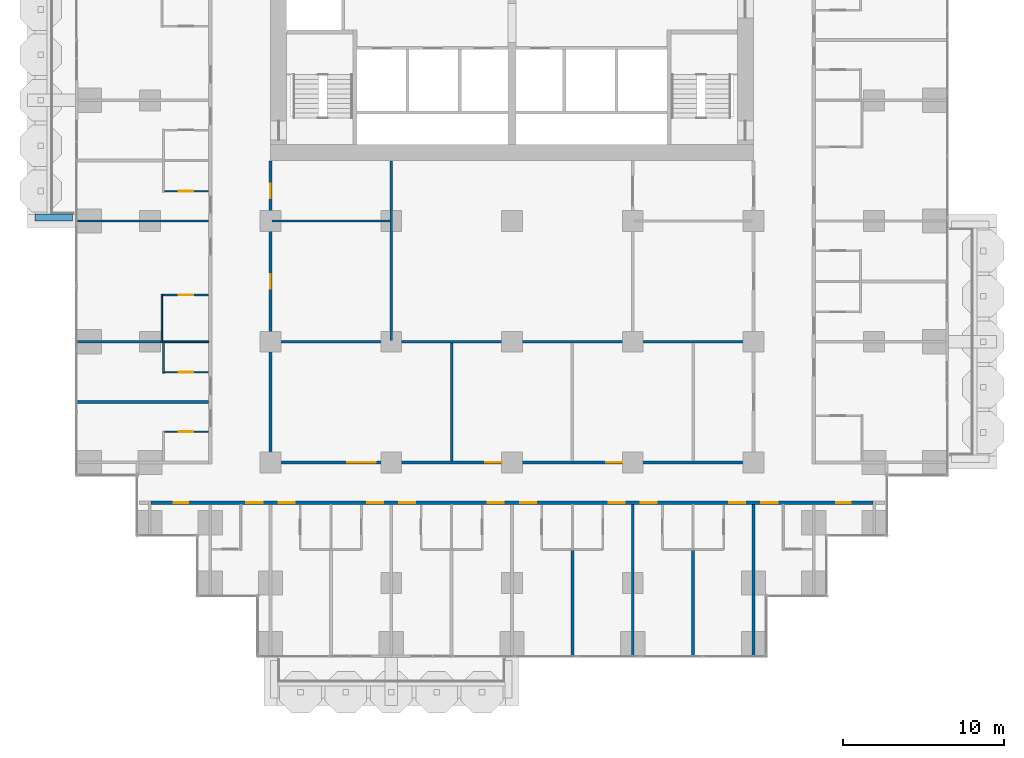
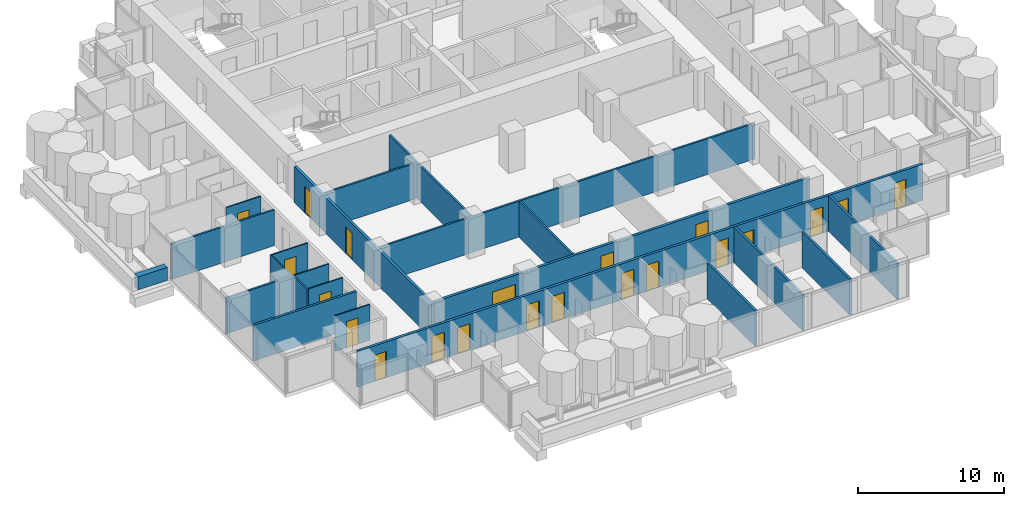
# One storey, part 11 of 19: 22 walls, 21 doors, 21 openings.
"""IFC4 building model written with IfcOpenShell, lengths in metres."""

from ifc_helpers import new_model, si_unit, direction, frame, frame_2d, origin, place, context, subcontext, project, spatial, rectangle, extrude, material, layer, layer_set, type_object, element, fill, save


model = new_model("IFC4")

# Units and contexts
model_context = context("Model", 3, precision=1e-05, world=origin(), true_north=direction((0.0, 1.0)))
body_context = subcontext(model_context, "Body", "Model", "MODEL_VIEW")
ifc_project = project(units=[si_unit("LENGTHUNIT", "METRE"), si_unit("AREAUNIT", "SQUARE_METRE"), si_unit("VOLUMEUNIT", "CUBIC_METRE"), si_unit("PLANEANGLEUNIT", "RADIAN"), si_unit("MASSUNIT", "GRAM", prefix="KILO")], contexts=[model_context])

# Site, building, storey
site_placement = place(None, origin())
site = spatial("IfcSite", under=ifc_project, at=site_placement, CompositionType="ELEMENT")
building_placement = place(site_placement, origin())
building = spatial("IfcBuilding", under=site, at=building_placement, Name="Pilkhan Gate Tower", CompositionType="ELEMENT")
storey_placement = place(building_placement, frame((0.0, 0.0, 95.60009765625)))
storey = spatial("IfcBuildingStorey", under=building, at=storey_placement, Name="L23", CompositionType="ELEMENT", Elevation=95.60009765625)

# Walls
ifc_material_1 = material(Name="Dense blockwork", Category="masonry")
ifc_layer_1 = layer(ifc_material_1, 0.175048828125)
ifc_layer_set_1 = layer_set([ifc_layer_1], Name="Acoustic party wall PW175")
wall_type_1 = type_object("IfcWallType", Name="Acoustic party wall PW175", PredefinedType="PARTITIONING", material=ifc_layer_set_1)
wall_1_placement = place(storey_placement, frame((47.985107421875, 56.25, 0.0), z_axis=(0.0, 0.0, 1.0), x_axis=(1.0, 0.0, 0.0)))
element("IfcWall", 1, at=wall_1_placement, inside=storey, type_object=wall_type_1, Name="Partition L23", PredefinedType="PARTITIONING", context=body_context, shape_type="SweptSolid", body=[
    extrude(rectangle(XDim=8.164794921875, YDim=0.175048828125, at=frame_2d((4.08251953125, 0.0))), origin(), (0.0, 0.0, 1.0), 3.0),
])
wall_2_placement = place(storey_placement, frame((78.75, 40.485107421875, 0.0), z_axis=(0.0, 0.0, 1.0), x_axis=(0.0, 1.0, 0.0)))
element("IfcWall", 2, at=wall_2_placement, inside=storey, type_object=wall_type_1, Name="Partition L23", PredefinedType="PARTITIONING", context=body_context, shape_type="SweptSolid", body=[
    extrude(rectangle(XDim=6.56494140625, YDim=0.175048828125, at=frame_2d((3.282470703125, 0.0))), origin(), (0.0, 0.0, 1.0), 3.0),
])
wall_3_placement = place(storey_placement, frame((82.5, 40.485107421875, 0.0), z_axis=(0.0, 0.0, 1.0), x_axis=(0.0, 1.0, 0.0)))
element("IfcWall", 3, at=wall_3_placement, inside=storey, type_object=wall_type_1, Name="Partition L23", PredefinedType="PARTITIONING", context=body_context, shape_type="SweptSolid", body=[
    extrude(rectangle(XDim=9.414794921875, YDim=0.175048828125, at=frame_2d((4.70751953125, 0.0))), origin(), (0.0, 0.0, 1.0), 3.0),
])
wall_4_placement = place(storey_placement, frame((86.25, 40.485107421875, 0.0), z_axis=(0.0, 0.0, 1.0), x_axis=(0.0, 1.0, 0.0)))
element("IfcWall", 4, at=wall_4_placement, inside=storey, type_object=wall_type_1, Name="Partition L23", PredefinedType="PARTITIONING", context=body_context, shape_type="SweptSolid", body=[
    extrude(rectangle(XDim=6.56494140625, YDim=0.175048828125, at=frame_2d((3.282470703125, 0.0))), origin(), (0.0, 0.0, 1.0), 3.0),
])
wall_5_placement = place(storey_placement, frame((90.0, 40.485107421875, 0.0), z_axis=(0.0, 0.0, 1.0), x_axis=(0.0, 1.0, 0.0)))
element("IfcWall", 5, at=wall_5_placement, inside=storey, type_object=wall_type_1, Name="Partition L23", PredefinedType="PARTITIONING", context=body_context, shape_type="SweptSolid", body=[
    extrude(rectangle(XDim=9.414794921875, YDim=0.175048828125, at=frame_2d((4.70751953125, 0.0))), origin(), (0.0, 0.0, 1.0), 3.0),
])
ifc_material_2 = material(Name="Board-marked Concrete C40/50", Category="concrete")
ifc_layer_2 = layer(ifc_material_2, 0.449951171875)
ifc_layer_set_2 = layer_set([ifc_layer_2], Name="Balcony planter lip BL450")
wall_type_2 = type_object("IfcWallType", Name="Balcony planter lip BL450", PredefinedType="USERDEFINED", material=ifc_layer_set_2)
wall_6_placement = place(storey_placement, frame((47.699951171875, 67.72509765625, 0.0), z_axis=(0.0, 0.0, 1.0), x_axis=(-1.0, 0.0, 0.0)))
element("IfcWall", 6, at=wall_6_placement, inside=storey, type_object=wall_type_2, Name="Balcony planter L23 W", ObjectType="BALCONY PLANTER", PredefinedType="USERDEFINED", context=body_context, shape_type="SweptSolid", body=[
    extrude(rectangle(XDim=2.349853515625, YDim=0.449951171875, at=frame_2d((1.1748046875, 0.0))), origin(), (0.0, 0.0, 1.0), 1.099853515625),
])

# Wall, openings, doors
ifc_layer_3 = layer(ifc_material_1, 0.199951171875)
ifc_layer_set_3 = layer_set([ifc_layer_3], Name="Corridor wall FW200")
wall_type_3 = type_object("IfcWallType", Name="Corridor wall FW200", PredefinedType="PARTITIONING", material=ifc_layer_set_3)
wall_7_placement = place(storey_placement, frame((52.574951171875, 50.0, 0.0), z_axis=(0.0, 0.0, 1.0), x_axis=(1.0, 0.0, 0.0)))
wall_7 = element("IfcWall", 7, at=wall_7_placement, inside=storey, type_object=wall_type_3, Name="Partition L23", PredefinedType="PARTITIONING", context=body_context, shape_type="SweptSolid", body=[
    extrude(rectangle(XDim=44.85009765625, YDim=0.199951171875, at=frame_2d((22.425048828125, 0.0))), origin(), (0.0, 0.0, 1.0), 3.0),
])
opening_1_placement = place(wall_7_placement, frame((5.925048828125, 0.0, 0.0)))
opening_1 = element("IfcOpeningElement", 8, at=opening_1_placement, cuts=wall_7, Name="Opening L23-06", PredefinedType="OPENING", context=body_context, shape_type="SweptSolid", body=[
    extrude(rectangle(XDim=1.0, YDim=2.199951171875, at=frame_2d((0.5, 1.10009765625))), frame((0.0, 0.10986328125, 0.0), z_axis=(0.0, -1.0, 0.0), x_axis=(1.0, 0.0, 0.0)), (0.0, 0.0, 1.0), 0.219970703125),
])
opening_2_placement = place(wall_7_placement, frame((7.925048828125, 0.0, 0.0)))
opening_2 = element("IfcOpeningElement", 9, at=opening_2_placement, cuts=wall_7, Name="Opening L23-08", PredefinedType="OPENING", context=body_context, shape_type="SweptSolid", body=[
    extrude(rectangle(XDim=1.0, YDim=2.199951171875, at=frame_2d((0.5, 1.10009765625))), frame((0.0, 0.10986328125, 0.0), z_axis=(0.0, -1.0, 0.0), x_axis=(1.0, 0.0, 0.0)), (0.0, 0.0, 1.0), 0.219970703125),
])
opening_3_placement = place(wall_7_placement, frame((13.425048828125, 0.0, 0.0)))
opening_3 = element("IfcOpeningElement", 10, at=opening_3_placement, cuts=wall_7, Name="Opening L23-10", PredefinedType="OPENING", context=body_context, shape_type="SweptSolid", body=[
    extrude(rectangle(XDim=1.0, YDim=2.199951171875, at=frame_2d((0.5, 1.10009765625))), frame((0.0, 0.10986328125, 0.0), z_axis=(0.0, -1.0, 0.0), x_axis=(1.0, 0.0, 0.0)), (0.0, 0.0, 1.0), 0.219970703125),
])
opening_4_placement = place(wall_7_placement, frame((15.425048828125, 0.0, 0.0)))
opening_4 = element("IfcOpeningElement", 11, at=opening_4_placement, cuts=wall_7, Name="Opening L23-12", PredefinedType="OPENING", context=body_context, shape_type="SweptSolid", body=[
    extrude(rectangle(XDim=1.0, YDim=2.199951171875, at=frame_2d((0.5, 1.10009765625))), frame((0.0, 0.10986328125, 0.0), z_axis=(0.0, -1.0, 0.0), x_axis=(1.0, 0.0, 0.0)), (0.0, 0.0, 1.0), 0.219970703125),
])
opening_5_placement = place(wall_7_placement, frame((20.925048828125, 0.0, 0.0)))
opening_5 = element("IfcOpeningElement", 12, at=opening_5_placement, cuts=wall_7, Name="Opening L23-14", PredefinedType="OPENING", context=body_context, shape_type="SweptSolid", body=[
    extrude(rectangle(XDim=1.0, YDim=2.199951171875, at=frame_2d((0.5, 1.10009765625))), frame((0.0, 0.10986328125, 0.0), z_axis=(0.0, -1.0, 0.0), x_axis=(1.0, 0.0, 0.0)), (0.0, 0.0, 1.0), 0.219970703125),
])
opening_6_placement = place(wall_7_placement, frame((22.925048828125, 0.0, 0.0)))
opening_6 = element("IfcOpeningElement", 13, at=opening_6_placement, cuts=wall_7, Name="Opening L23-16", PredefinedType="OPENING", context=body_context, shape_type="SweptSolid", body=[
    extrude(rectangle(XDim=1.0, YDim=2.199951171875, at=frame_2d((0.5, 1.10009765625))), frame((0.0, 0.10986328125, 0.0), z_axis=(0.0, -1.0, 0.0), x_axis=(1.0, 0.0, 0.0)), (0.0, 0.0, 1.0), 0.219970703125),
])
opening_7_placement = place(wall_7_placement, frame((28.425048828125, 0.0, 0.0)))
opening_7 = element("IfcOpeningElement", 14, at=opening_7_placement, cuts=wall_7, Name="Opening L23-18", PredefinedType="OPENING", context=body_context, shape_type="SweptSolid", body=[
    extrude(rectangle(XDim=1.0, YDim=2.199951171875, at=frame_2d((0.5, 1.10009765625))), frame((0.0, 0.10986328125, 0.0), z_axis=(0.0, -1.0, 0.0), x_axis=(1.0, 0.0, 0.0)), (0.0, 0.0, 1.0), 0.219970703125),
])
opening_8_placement = place(wall_7_placement, frame((30.425048828125, 0.0, 0.0)))
opening_8 = element("IfcOpeningElement", 15, at=opening_8_placement, cuts=wall_7, Name="Opening L23-20", PredefinedType="OPENING", context=body_context, shape_type="SweptSolid", body=[
    extrude(rectangle(XDim=1.0, YDim=2.199951171875, at=frame_2d((0.5, 1.10009765625))), frame((0.0, 0.10986328125, 0.0), z_axis=(0.0, -1.0, 0.0), x_axis=(1.0, 0.0, 0.0)), (0.0, 0.0, 1.0), 0.219970703125),
])
opening_9_placement = place(wall_7_placement, frame((35.925048828125, 0.0, 0.0)))
opening_9 = element("IfcOpeningElement", 16, at=opening_9_placement, cuts=wall_7, Name="Opening L23-22", PredefinedType="OPENING", context=body_context, shape_type="SweptSolid", body=[
    extrude(rectangle(XDim=1.0, YDim=2.199951171875, at=frame_2d((0.5, 1.10009765625))), frame((0.0, 0.10986328125, 0.0), z_axis=(0.0, -1.0, 0.0), x_axis=(1.0, 0.0, 0.0)), (0.0, 0.0, 1.0), 0.219970703125),
])
opening_10_placement = place(wall_7_placement, frame((37.925048828125, 0.0, 0.0)))
opening_10 = element("IfcOpeningElement", 17, at=opening_10_placement, cuts=wall_7, Name="Opening L23-24", PredefinedType="OPENING", context=body_context, shape_type="SweptSolid", body=[
    extrude(rectangle(XDim=1.0, YDim=2.199951171875, at=frame_2d((0.5, 1.10009765625))), frame((0.0, 0.10986328125, 0.0), z_axis=(0.0, -1.0, 0.0), x_axis=(1.0, 0.0, 0.0)), (0.0, 0.0, 1.0), 0.219970703125),
])
opening_11_placement = place(wall_7_placement, frame((1.39990234375, 0.0, 0.0)))
opening_11 = element("IfcOpeningElement", 18, at=opening_11_placement, cuts=wall_7, Name="Opening L23-56", PredefinedType="OPENING", context=body_context, shape_type="SweptSolid", body=[
    extrude(rectangle(XDim=0.89990234375, YDim=2.199951171875, at=frame_2d((0.449951171875, 1.10009765625))), frame((0.0, 0.10986328125, 0.0), z_axis=(0.0, -1.0, 0.0), x_axis=(1.0, 0.0, 0.0)), (0.0, 0.0, 1.0), 0.219970703125),
])
opening_12_placement = place(wall_7_placement, frame((42.574951171875, 0.0, 0.0)))
opening_12 = element("IfcOpeningElement", 19, at=opening_12_placement, cuts=wall_7, Name="Opening L23-57", PredefinedType="OPENING", context=body_context, shape_type="SweptSolid", body=[
    extrude(rectangle(XDim=0.89990234375, YDim=2.199951171875, at=frame_2d((0.449951171875, 1.10009765625))), frame((0.0, 0.10986328125, 0.0), z_axis=(0.0, -1.0, 0.0), x_axis=(1.0, 0.0, 0.0)), (0.0, 0.0, 1.0), 0.219970703125),
])
ifc_material_3 = material(Name="Timber flush door, 30 minute fire resisting", Category="wood")
door_type_1 = type_object("IfcDoorType", Name="Guest room door D01 1000x2200", OperationType="SINGLE_SWING_LEFT", PredefinedType="DOOR", material=ifc_material_3)
door_1_placement = place(opening_1_placement, origin())
door_1 = element("IfcDoor", 20, at=door_1_placement, inside=storey, type_object=door_type_1, Name="Guest room door", OperationType="SINGLE_SWING_RIGHT", OverallHeight=2.199951171875, OverallWidth=1.0, PredefinedType="DOOR", context=body_context, shape_type="SweptSolid", body=[
    extrude(rectangle(XDim=1.0, YDim=2.199951171875, at=frame_2d((0.5, 1.10009765625))), frame((0.0, 0.02490234375, 0.0), z_axis=(0.0, -1.0, 0.0), x_axis=(1.0, 0.0, 0.0)), (0.0, 0.0, 1.0), 0.050048828125),
])
fill(opening_1, door_1)
door_2_placement = place(opening_2_placement, origin())
door_2 = element("IfcDoor", 21, at=door_2_placement, inside=storey, type_object=door_type_1, Name="Guest room door", OperationType="SINGLE_SWING_LEFT", OverallHeight=2.199951171875, OverallWidth=1.0, PredefinedType="DOOR", context=body_context, shape_type="SweptSolid", body=[
    extrude(rectangle(XDim=1.0, YDim=2.199951171875, at=frame_2d((0.5, 1.10009765625))), frame((0.0, 0.02490234375, 0.0), z_axis=(0.0, -1.0, 0.0), x_axis=(1.0, 0.0, 0.0)), (0.0, 0.0, 1.0), 0.050048828125),
])
fill(opening_2, door_2)
door_3_placement = place(opening_3_placement, origin())
door_3 = element("IfcDoor", 22, at=door_3_placement, inside=storey, type_object=door_type_1, Name="Guest room door", OperationType="SINGLE_SWING_LEFT", OverallHeight=2.199951171875, OverallWidth=1.0, PredefinedType="DOOR", context=body_context, shape_type="SweptSolid", body=[
    extrude(rectangle(XDim=1.0, YDim=2.199951171875, at=frame_2d((0.5, 1.10009765625))), frame((0.0, 0.02490234375, 0.0), z_axis=(0.0, -1.0, 0.0), x_axis=(1.0, 0.0, 0.0)), (0.0, 0.0, 1.0), 0.050048828125),
])
fill(opening_3, door_3)
door_4_placement = place(opening_4_placement, origin())
door_4 = element("IfcDoor", 23, at=door_4_placement, inside=storey, type_object=door_type_1, Name="Guest room door", OperationType="SINGLE_SWING_LEFT", OverallHeight=2.199951171875, OverallWidth=1.0, PredefinedType="DOOR", context=body_context, shape_type="SweptSolid", body=[
    extrude(rectangle(XDim=1.0, YDim=2.199951171875, at=frame_2d((0.5, 1.10009765625))), frame((0.0, 0.02490234375, 0.0), z_axis=(0.0, -1.0, 0.0), x_axis=(1.0, 0.0, 0.0)), (0.0, 0.0, 1.0), 0.050048828125),
])
fill(opening_4, door_4)
door_5_placement = place(opening_5_placement, origin())
door_5 = element("IfcDoor", 24, at=door_5_placement, inside=storey, type_object=door_type_1, Name="Guest room door", OperationType="SINGLE_SWING_LEFT", OverallHeight=2.199951171875, OverallWidth=1.0, PredefinedType="DOOR", context=body_context, shape_type="SweptSolid", body=[
    extrude(rectangle(XDim=1.0, YDim=2.199951171875, at=frame_2d((0.5, 1.10009765625))), frame((0.0, 0.02490234375, 0.0), z_axis=(0.0, -1.0, 0.0), x_axis=(1.0, 0.0, 0.0)), (0.0, 0.0, 1.0), 0.050048828125),
])
fill(opening_5, door_5)
door_6_placement = place(opening_6_placement, origin())
door_6 = element("IfcDoor", 25, at=door_6_placement, inside=storey, type_object=door_type_1, Name="Guest room door", OperationType="SINGLE_SWING_RIGHT", OverallHeight=2.199951171875, OverallWidth=1.0, PredefinedType="DOOR", context=body_context, shape_type="SweptSolid", body=[
    extrude(rectangle(XDim=1.0, YDim=2.199951171875, at=frame_2d((0.5, 1.10009765625))), frame((0.0, 0.02490234375, 0.0), z_axis=(0.0, -1.0, 0.0), x_axis=(1.0, 0.0, 0.0)), (0.0, 0.0, 1.0), 0.050048828125),
])
fill(opening_6, door_6)
door_7_placement = place(opening_7_placement, origin())
door_7 = element("IfcDoor", 26, at=door_7_placement, inside=storey, type_object=door_type_1, Name="Guest room door", OperationType="SINGLE_SWING_LEFT", OverallHeight=2.199951171875, OverallWidth=1.0, PredefinedType="DOOR", context=body_context, shape_type="SweptSolid", body=[
    extrude(rectangle(XDim=1.0, YDim=2.199951171875, at=frame_2d((0.5, 1.10009765625))), frame((0.0, 0.02490234375, 0.0), z_axis=(0.0, -1.0, 0.0), x_axis=(1.0, 0.0, 0.0)), (0.0, 0.0, 1.0), 0.050048828125),
])
fill(opening_7, door_7)
door_8_placement = place(opening_8_placement, origin())
door_8 = element("IfcDoor", 27, at=door_8_placement, inside=storey, type_object=door_type_1, Name="Guest room door", OperationType="SINGLE_SWING_LEFT", OverallHeight=2.199951171875, OverallWidth=1.0, PredefinedType="DOOR", context=body_context, shape_type="SweptSolid", body=[
    extrude(rectangle(XDim=1.0, YDim=2.199951171875, at=frame_2d((0.5, 1.10009765625))), frame((0.0, 0.02490234375, 0.0), z_axis=(0.0, -1.0, 0.0), x_axis=(1.0, 0.0, 0.0)), (0.0, 0.0, 1.0), 0.050048828125),
])
fill(opening_8, door_8)
door_9_placement = place(opening_9_placement, origin())
door_9 = element("IfcDoor", 28, at=door_9_placement, inside=storey, type_object=door_type_1, Name="Guest room door", OperationType="SINGLE_SWING_RIGHT", OverallHeight=2.199951171875, OverallWidth=1.0, PredefinedType="DOOR", context=body_context, shape_type="SweptSolid", body=[
    extrude(rectangle(XDim=1.0, YDim=2.199951171875, at=frame_2d((0.5, 1.10009765625))), frame((0.0, 0.02490234375, 0.0), z_axis=(0.0, -1.0, 0.0), x_axis=(1.0, 0.0, 0.0)), (0.0, 0.0, 1.0), 0.050048828125),
])
fill(opening_9, door_9)
door_10_placement = place(opening_10_placement, origin())
door_10 = element("IfcDoor", 29, at=door_10_placement, inside=storey, type_object=door_type_1, Name="Guest room door", OperationType="SINGLE_SWING_LEFT", OverallHeight=2.199951171875, OverallWidth=1.0, PredefinedType="DOOR", context=body_context, shape_type="SweptSolid", body=[
    extrude(rectangle(XDim=1.0, YDim=2.199951171875, at=frame_2d((0.5, 1.10009765625))), frame((0.0, 0.02490234375, 0.0), z_axis=(0.0, -1.0, 0.0), x_axis=(1.0, 0.0, 0.0)), (0.0, 0.0, 1.0), 0.050048828125),
])
fill(opening_10, door_10)
ifc_material_4 = material(Name="Timber flush door, 60 minute fire resisting, self-closing", Category="wood")
door_type_2 = type_object("IfcDoorType", Name="Store door D05 900x2200", OperationType="SINGLE_SWING_LEFT", PredefinedType="DOOR", material=ifc_material_4)
door_11_placement = place(opening_11_placement, origin())
door_11 = element("IfcDoor", 30, at=door_11_placement, inside=storey, type_object=door_type_2, Name="Store door", OperationType="SINGLE_SWING_LEFT", OverallHeight=2.199951171875, OverallWidth=0.89990234375, PredefinedType="DOOR", context=body_context, shape_type="SweptSolid", body=[
    extrude(rectangle(XDim=0.89990234375, YDim=2.199951171875, at=frame_2d((0.449951171875, 1.10009765625))), frame((0.0, 0.02490234375, 0.0), z_axis=(0.0, -1.0, 0.0), x_axis=(1.0, 0.0, 0.0)), (0.0, 0.0, 1.0), 0.050048828125),
])
fill(opening_11, door_11)
door_12_placement = place(opening_12_placement, origin())
door_12 = element("IfcDoor", 31, at=door_12_placement, inside=storey, type_object=door_type_2, Name="Store door", OperationType="SINGLE_SWING_LEFT", OverallHeight=2.199951171875, OverallWidth=0.89990234375, PredefinedType="DOOR", context=body_context, shape_type="SweptSolid", body=[
    extrude(rectangle(XDim=0.89990234375, YDim=2.199951171875, at=frame_2d((0.449951171875, 1.10009765625))), frame((0.0, 0.02490234375, 0.0), z_axis=(0.0, -1.0, 0.0), x_axis=(1.0, 0.0, 0.0)), (0.0, 0.0, 1.0), 0.050048828125),
])
fill(opening_12, door_12)

wall_8_placement = place(storey_placement, frame((60.10009765625, 52.5, 0.0), z_axis=(0.0, 0.0, 1.0), x_axis=(1.0, 0.0, 0.0)))
wall_8 = element("IfcWall", 32, at=wall_8_placement, inside=storey, type_object=wall_type_3, Name="Partition L23", PredefinedType="PARTITIONING", context=body_context, shape_type="SweptSolid", body=[
    extrude(rectangle(XDim=29.7998046875, YDim=0.199951171875, at=frame_2d((14.89990234375, 0.0))), origin(), (0.0, 0.0, 1.0), 3.0),
])
opening_13_placement = place(wall_8_placement, frame((4.64990234375, 0.0, 0.0)))
opening_13 = element("IfcOpeningElement", 33, at=opening_13_placement, cuts=wall_8, Name="Opening L23-62", PredefinedType="OPENING", context=body_context, shape_type="SweptSolid", body=[
    extrude(rectangle(XDim=1.800048828125, YDim=2.199951171875, at=frame_2d((0.89990234375, 1.10009765625))), frame((0.0, 0.10986328125, 0.0), z_axis=(0.0, -1.0, 0.0), x_axis=(1.0, 0.0, 0.0)), (0.0, 0.0, 1.0), 0.219970703125),
])
opening_14_placement = place(wall_8_placement, frame((13.25, 0.0, 0.0)))
opening_14 = element("IfcOpeningElement", 34, at=opening_14_placement, cuts=wall_8, Name="Opening L23-63", PredefinedType="OPENING", context=body_context, shape_type="SweptSolid", body=[
    extrude(rectangle(XDim=1.0, YDim=2.199951171875, at=frame_2d((0.5, 1.10009765625))), frame((0.0, 0.10986328125, 0.0), z_axis=(0.0, -1.0, 0.0), x_axis=(1.0, 0.0, 0.0)), (0.0, 0.0, 1.0), 0.219970703125),
])
opening_15_placement = place(wall_8_placement, frame((20.75, 0.0, 0.0)))
opening_15 = element("IfcOpeningElement", 35, at=opening_15_placement, cuts=wall_8, Name="Opening L23-64", PredefinedType="OPENING", context=body_context, shape_type="SweptSolid", body=[
    extrude(rectangle(XDim=1.0, YDim=2.199951171875, at=frame_2d((0.5, 1.10009765625))), frame((0.0, 0.10986328125, 0.0), z_axis=(0.0, -1.0, 0.0), x_axis=(1.0, 0.0, 0.0)), (0.0, 0.0, 1.0), 0.219970703125),
])
ifc_material_5 = material(Name="Timber glazed double door, 30 minute fire resisting", Category="wood")
door_type_3 = type_object("IfcDoorType", Name="Double door D04 1800x2200", OperationType="DOUBLE_DOOR_SINGLE_SWING", PredefinedType="DOOR", material=ifc_material_5)
door_13_placement = place(opening_13_placement, origin())
door_13 = element("IfcDoor", 36, at=door_13_placement, inside=storey, type_object=door_type_3, Name="Double door", OperationType="DOUBLE_DOOR_SINGLE_SWING", OverallHeight=2.199951171875, OverallWidth=1.800048828125, PredefinedType="DOOR", context=body_context, shape_type="SweptSolid", body=[
    extrude(rectangle(XDim=1.800048828125, YDim=2.199951171875, at=frame_2d((0.89990234375, 1.10009765625))), frame((0.0, 0.02490234375, 0.0), z_axis=(0.0, -1.0, 0.0), x_axis=(1.0, 0.0, 0.0)), (0.0, 0.0, 1.0), 0.050048828125),
])
fill(opening_13, door_13)
door_type_4 = type_object("IfcDoorType", Name="Room door D03 1000x2200", OperationType="SINGLE_SWING_LEFT", PredefinedType="DOOR", material=ifc_material_3)
door_14_placement = place(opening_14_placement, origin())
door_14 = element("IfcDoor", 37, at=door_14_placement, inside=storey, type_object=door_type_4, Name="Room door", OperationType="SINGLE_SWING_RIGHT", OverallHeight=2.199951171875, OverallWidth=1.0, PredefinedType="DOOR", context=body_context, shape_type="SweptSolid", body=[
    extrude(rectangle(XDim=1.0, YDim=2.199951171875, at=frame_2d((0.5, 1.10009765625))), frame((0.0, 0.02490234375, 0.0), z_axis=(0.0, -1.0, 0.0), x_axis=(1.0, 0.0, 0.0)), (0.0, 0.0, 1.0), 0.050048828125),
])
fill(opening_14, door_14)
door_15_placement = place(opening_15_placement, origin())
door_15 = element("IfcDoor", 38, at=door_15_placement, inside=storey, type_object=door_type_4, Name="Room door", OperationType="SINGLE_SWING_RIGHT", OverallHeight=2.199951171875, OverallWidth=1.0, PredefinedType="DOOR", context=body_context, shape_type="SweptSolid", body=[
    extrude(rectangle(XDim=1.0, YDim=2.199951171875, at=frame_2d((0.5, 1.10009765625))), frame((0.0, 0.02490234375, 0.0), z_axis=(0.0, -1.0, 0.0), x_axis=(1.0, 0.0, 0.0)), (0.0, 0.0, 1.0), 0.050048828125),
])
fill(opening_15, door_15)

wall_9_placement = place(storey_placement, frame((60.0, 52.39990234375, 0.0), z_axis=(0.0, 0.0, 1.0), x_axis=(0.0, 1.0, 0.0)))
wall_9 = element("IfcWall", 39, at=wall_9_placement, inside=storey, type_object=wall_type_3, Name="Partition L23", PredefinedType="PARTITIONING", context=body_context, shape_type="SweptSolid", body=[
    extrude(rectangle(XDim=18.840087890625, YDim=0.199951171875, at=frame_2d((9.419921875, 0.0))), origin(), (0.0, 0.0, 1.0), 3.0),
])
opening_16_placement = place(wall_9_placement, frame((10.89990234375, 0.0, 0.0)))
opening_16 = element("IfcOpeningElement", 40, at=opening_16_placement, cuts=wall_9, Name="Opening L23-66", PredefinedType="OPENING", context=body_context, shape_type="SweptSolid", body=[
    extrude(rectangle(XDim=0.89990234375, YDim=2.199951171875, at=frame_2d((0.449951171875, 1.10009765625))), frame((0.0, 0.10986328125, 0.0), z_axis=(0.0, -1.0, 0.0), x_axis=(1.0, 0.0, 0.0)), (0.0, 0.0, 1.0), 0.219970703125),
])
opening_17_placement = place(wall_9_placement, frame((16.5, 0.0, 0.0)))
opening_17 = element("IfcOpeningElement", 41, at=opening_17_placement, cuts=wall_9, Name="Opening L23-67", PredefinedType="OPENING", context=body_context, shape_type="SweptSolid", body=[
    extrude(rectangle(XDim=0.89990234375, YDim=2.199951171875, at=frame_2d((0.449951171875, 1.10009765625))), frame((0.0, 0.10986328125, 0.0), z_axis=(0.0, -1.0, 0.0), x_axis=(1.0, 0.0, 0.0)), (0.0, 0.0, 1.0), 0.219970703125),
])
door_16_placement = place(opening_16_placement, origin())
door_16 = element("IfcDoor", 42, at=door_16_placement, inside=storey, type_object=door_type_2, Name="Store door", OperationType="SINGLE_SWING_LEFT", OverallHeight=2.199951171875, OverallWidth=0.89990234375, PredefinedType="DOOR", context=body_context, shape_type="SweptSolid", body=[
    extrude(rectangle(XDim=0.89990234375, YDim=2.199951171875, at=frame_2d((0.449951171875, 1.10009765625))), frame((0.0, 0.02490234375, 0.0), z_axis=(0.0, -1.0, 0.0), x_axis=(1.0, 0.0, 0.0)), (0.0, 0.0, 1.0), 0.050048828125),
])
fill(opening_16, door_16)
door_17_placement = place(opening_17_placement, origin())
door_17 = element("IfcDoor", 43, at=door_17_placement, inside=storey, type_object=door_type_2, Name="Store door", OperationType="SINGLE_SWING_LEFT", OverallHeight=2.199951171875, OverallWidth=0.89990234375, PredefinedType="DOOR", context=body_context, shape_type="SweptSolid", body=[
    extrude(rectangle(XDim=0.89990234375, YDim=2.199951171875, at=frame_2d((0.449951171875, 1.10009765625))), frame((0.0, 0.02490234375, 0.0), z_axis=(0.0, -1.0, 0.0), x_axis=(1.0, 0.0, 0.0)), (0.0, 0.0, 1.0), 0.050048828125),
])
fill(opening_17, door_17)

# Walls
ifc_material_6 = material(Name="Blockwork partition, plastered both sides", Category="masonry")
ifc_layer_4 = layer(ifc_material_6, 0.14990234375)
ifc_layer_set_4 = layer_set([ifc_layer_4], Name="Partition PW150")
wall_type_4 = type_object("IfcWallType", Name="Partition PW150", PredefinedType="PARTITIONING", material=ifc_layer_set_4)
wall_10_placement = place(storey_placement, frame((47.985107421875, 60.0, 0.0), z_axis=(0.0, 0.0, 1.0), x_axis=(1.0, 0.0, 0.0)))
element("IfcWall", 44, at=wall_10_placement, inside=storey, type_object=wall_type_4, Name="Partition L23", PredefinedType="PARTITIONING", context=body_context, shape_type="SweptSolid", body=[
    extrude(rectangle(XDim=5.21484375, YDim=0.14990234375, at=frame_2d((2.607421875, 0.0))), origin(), (0.0, 0.0, 1.0), 3.0),
])
wall_11_placement = place(storey_placement, frame((60.10009765625, 60.0, 0.0), z_axis=(0.0, 0.0, 1.0), x_axis=(1.0, 0.0, 0.0)))
element("IfcWall", 45, at=wall_11_placement, inside=storey, type_object=wall_type_4, Name="Partition L23", PredefinedType="PARTITIONING", context=body_context, shape_type="SweptSolid", body=[
    extrude(rectangle(XDim=29.7998046875, YDim=0.14990234375, at=frame_2d((14.89990234375, 0.0))), origin(), (0.0, 0.0, 1.0), 3.0),
])
wall_12_placement = place(storey_placement, frame((47.985107421875, 67.5, 0.0), z_axis=(0.0, 0.0, 1.0), x_axis=(1.0, 0.0, 0.0)))
element("IfcWall", 46, at=wall_12_placement, inside=storey, type_object=wall_type_4, Name="Partition L23", PredefinedType="PARTITIONING", context=body_context, shape_type="SweptSolid", body=[
    extrude(rectangle(XDim=8.164794921875, YDim=0.14990234375, at=frame_2d((4.08251953125, 0.0))), origin(), (0.0, 0.0, 1.0), 3.0),
])
wall_13_placement = place(storey_placement, frame((60.10009765625, 67.5, 0.0), z_axis=(0.0, 0.0, 1.0), x_axis=(1.0, 0.0, 0.0)))
element("IfcWall", 47, at=wall_13_placement, inside=storey, type_object=wall_type_4, Name="Partition L23", PredefinedType="PARTITIONING", context=body_context, shape_type="SweptSolid", body=[
    extrude(rectangle(XDim=7.324951171875, YDim=0.14990234375, at=frame_2d((3.66259765625, 0.0))), origin(), (0.0, 0.0, 1.0), 3.0),
])
wall_14_placement = place(storey_placement, frame((67.5, 60.074951171875, 0.0), z_axis=(0.0, 0.0, 1.0), x_axis=(0.0, 1.0, 0.0)))
element("IfcWall", 48, at=wall_14_placement, inside=storey, type_object=wall_type_4, Name="Partition L23", PredefinedType="PARTITIONING", context=body_context, shape_type="SweptSolid", body=[
    extrude(rectangle(XDim=11.1650390625, YDim=0.14990234375, at=frame_2d((5.58251953125, 0.0))), origin(), (0.0, 0.0, 1.0), 3.0),
])
wall_15_placement = place(storey_placement, frame((71.25, 52.60009765625, 0.0), z_axis=(0.0, 0.0, 1.0), x_axis=(0.0, 1.0, 0.0)))
element("IfcWall", 49, at=wall_15_placement, inside=storey, type_object=wall_type_4, Name="Partition L23", PredefinedType="PARTITIONING", context=body_context, shape_type="SweptSolid", body=[
    extrude(rectangle(XDim=7.324951171875, YDim=0.14990234375, at=frame_2d((3.66259765625, 0.0))), origin(), (0.0, 0.0, 1.0), 3.0),
])

# Wall, opening, door
ifc_material_7 = material(Name="Moisture resistant board, tiled")
ifc_layer_5 = layer(ifc_material_7, 0.10009765625)
ifc_layer_set_5 = layer_set([ifc_layer_5], Name="Wet wall PW100")
wall_type_5 = type_object("IfcWallType", Name="Wet wall PW100", PredefinedType="PARTITIONING", material=ifc_layer_set_5)
wall_16_placement = place(storey_placement, frame((53.39990234375, 54.39990234375, 0.0), z_axis=(0.0, 0.0, 1.0), x_axis=(1.0, 0.0, 0.0)))
wall_16 = element("IfcWall", 50, at=wall_16_placement, inside=storey, type_object=wall_type_5, Name="Partition L23", PredefinedType="PARTITIONING", context=body_context, shape_type="SweptSolid", body=[
    extrude(rectangle(XDim=2.75, YDim=0.10009765625, at=frame_2d((1.375, 0.0))), origin(), (0.0, 0.0, 1.0), 3.0),
])
opening_18_placement = place(wall_16_placement, frame((0.89990234375, 0.0, 0.0)))
opening_18 = element("IfcOpeningElement", 51, at=opening_18_placement, cuts=wall_16, Name="Opening L23-27", PredefinedType="OPENING", context=body_context, shape_type="SweptSolid", body=[
    extrude(rectangle(XDim=0.89990234375, YDim=2.199951171875, at=frame_2d((0.449951171875, 1.10009765625))), frame((0.0, 0.06005859375, 0.0), z_axis=(0.0, -1.0, 0.0), x_axis=(1.0, 0.0, 0.0)), (0.0, 0.0, 1.0), 0.1201171875),
])
ifc_material_8 = material(Name="Timber flush door", Category="wood")
door_type_5 = type_object("IfcDoorType", Name="Bathroom door D02 900x2200", OperationType="SINGLE_SWING_RIGHT", PredefinedType="DOOR", material=ifc_material_8)
door_18_placement = place(opening_18_placement, origin())
door_18 = element("IfcDoor", 52, at=door_18_placement, inside=storey, type_object=door_type_5, Name="Bathroom door", OperationType="SINGLE_SWING_RIGHT", OverallHeight=2.199951171875, OverallWidth=0.89990234375, PredefinedType="DOOR", context=body_context, shape_type="SweptSolid", body=[
    extrude(rectangle(XDim=0.89990234375, YDim=2.199951171875, at=frame_2d((0.449951171875, 1.10009765625))), frame((0.0, 0.02490234375, 0.0), z_axis=(0.0, -1.0, 0.0), x_axis=(1.0, 0.0, 0.0)), (0.0, 0.0, 1.0), 0.050048828125),
])
fill(opening_18, door_18)

wall_17_placement = place(storey_placement, frame((53.39990234375, 58.10009765625, 0.0), z_axis=(0.0, 0.0, 1.0), x_axis=(1.0, 0.0, 0.0)))
wall_17 = element("IfcWall", 53, at=wall_17_placement, inside=storey, type_object=wall_type_5, Name="Partition L23", PredefinedType="PARTITIONING", context=body_context, shape_type="SweptSolid", body=[
    extrude(rectangle(XDim=2.75, YDim=0.10009765625, at=frame_2d((1.375, 0.0))), origin(), (0.0, 0.0, 1.0), 3.0),
])
opening_19_placement = place(wall_17_placement, frame((0.89990234375, 0.0, 0.0)))
opening_19 = element("IfcOpeningElement", 54, at=opening_19_placement, cuts=wall_17, Name="Opening L23-29", PredefinedType="OPENING", context=body_context, shape_type="SweptSolid", body=[
    extrude(rectangle(XDim=0.89990234375, YDim=2.199951171875, at=frame_2d((0.449951171875, 1.10009765625))), frame((0.0, 0.06005859375, 0.0), z_axis=(0.0, -1.0, 0.0), x_axis=(1.0, 0.0, 0.0)), (0.0, 0.0, 1.0), 0.1201171875),
])
door_19_placement = place(opening_19_placement, origin())
door_19 = element("IfcDoor", 55, at=door_19_placement, inside=storey, type_object=door_type_5, Name="Bathroom door", OperationType="SINGLE_SWING_RIGHT", OverallHeight=2.199951171875, OverallWidth=0.89990234375, PredefinedType="DOOR", context=body_context, shape_type="SweptSolid", body=[
    extrude(rectangle(XDim=0.89990234375, YDim=2.199951171875, at=frame_2d((0.449951171875, 1.10009765625))), frame((0.0, 0.02490234375, 0.0), z_axis=(0.0, -1.0, 0.0), x_axis=(1.0, 0.0, 0.0)), (0.0, 0.0, 1.0), 0.050048828125),
])
fill(opening_19, door_19)

# Wall
wall_18_placement = place(storey_placement, frame((53.39990234375, 60.0, 0.0), z_axis=(0.0, 0.0, 1.0), x_axis=(1.0, 0.0, 0.0)))
element("IfcWall", 56, at=wall_18_placement, inside=storey, type_object=wall_type_5, Name="Partition L23", PredefinedType="PARTITIONING", context=body_context, shape_type="SweptSolid", body=[
    extrude(rectangle(XDim=2.75, YDim=0.10009765625, at=frame_2d((1.375, 0.0))), origin(), (0.0, 0.0, 1.0), 3.0),
])

# Wall, opening, door
wall_19_placement = place(storey_placement, frame((53.300048828125, 62.89990234375, 0.0), z_axis=(0.0, 0.0, 1.0), x_axis=(1.0, 0.0, 0.0)))
wall_19 = element("IfcWall", 57, at=wall_19_placement, inside=storey, type_object=wall_type_5, Name="Partition L23", PredefinedType="PARTITIONING", context=body_context, shape_type="SweptSolid", body=[
    extrude(rectangle(XDim=2.849853515625, YDim=0.10009765625, at=frame_2d((1.4248046875, 0.0))), origin(), (0.0, 0.0, 1.0), 3.0),
])
opening_20_placement = place(wall_19_placement, frame((1.0, 0.0, 0.0)))
opening_20 = element("IfcOpeningElement", 58, at=opening_20_placement, cuts=wall_19, Name="Opening L23-31", PredefinedType="OPENING", context=body_context, shape_type="SweptSolid", body=[
    extrude(rectangle(XDim=0.89990234375, YDim=2.199951171875, at=frame_2d((0.449951171875, 1.10009765625))), frame((0.0, 0.06005859375, 0.0), z_axis=(0.0, -1.0, 0.0), x_axis=(1.0, 0.0, 0.0)), (0.0, 0.0, 1.0), 0.1201171875),
])
door_20_placement = place(opening_20_placement, origin())
door_20 = element("IfcDoor", 59, at=door_20_placement, inside=storey, type_object=door_type_5, Name="Bathroom door", OperationType="SINGLE_SWING_RIGHT", OverallHeight=2.199951171875, OverallWidth=0.89990234375, PredefinedType="DOOR", context=body_context, shape_type="SweptSolid", body=[
    extrude(rectangle(XDim=0.89990234375, YDim=2.199951171875, at=frame_2d((0.449951171875, 1.10009765625))), frame((0.0, 0.02490234375, 0.0), z_axis=(0.0, -1.0, 0.0), x_axis=(1.0, 0.0, 0.0)), (0.0, 0.0, 1.0), 0.050048828125),
])
fill(opening_20, door_20)

wall_20_placement = place(storey_placement, frame((53.39990234375, 69.35009765625, 0.0), z_axis=(0.0, 0.0, 1.0), x_axis=(1.0, 0.0, 0.0)))
wall_20 = element("IfcWall", 60, at=wall_20_placement, inside=storey, type_object=wall_type_5, Name="Partition L23", PredefinedType="PARTITIONING", context=body_context, shape_type="SweptSolid", body=[
    extrude(rectangle(XDim=2.75, YDim=0.10009765625, at=frame_2d((1.375, 0.0))), origin(), (0.0, 0.0, 1.0), 3.0),
])
opening_21_placement = place(wall_20_placement, frame((0.89990234375, 0.0, 0.0)))
opening_21 = element("IfcOpeningElement", 61, at=opening_21_placement, cuts=wall_20, Name="Opening L23-33", PredefinedType="OPENING", context=body_context, shape_type="SweptSolid", body=[
    extrude(rectangle(XDim=0.89990234375, YDim=2.199951171875, at=frame_2d((0.449951171875, 1.10009765625))), frame((0.0, 0.06005859375, 0.0), z_axis=(0.0, -1.0, 0.0), x_axis=(1.0, 0.0, 0.0)), (0.0, 0.0, 1.0), 0.1201171875),
])
door_21_placement = place(opening_21_placement, origin())
door_21 = element("IfcDoor", 62, at=door_21_placement, inside=storey, type_object=door_type_5, Name="Bathroom door", OperationType="SINGLE_SWING_RIGHT", OverallHeight=2.199951171875, OverallWidth=0.89990234375, PredefinedType="DOOR", context=body_context, shape_type="SweptSolid", body=[
    extrude(rectangle(XDim=0.89990234375, YDim=2.199951171875, at=frame_2d((0.449951171875, 1.10009765625))), frame((0.0, 0.02490234375, 0.0), z_axis=(0.0, -1.0, 0.0), x_axis=(1.0, 0.0, 0.0)), (0.0, 0.0, 1.0), 0.050048828125),
])
fill(opening_21, door_21)

# Walls
wall_21_placement = place(storey_placement, frame((53.25, 59.925048828125, 0.0), z_axis=(0.0, 0.0, 1.0), x_axis=(0.0, 1.0, 0.0)))
element("IfcWall", 63, at=wall_21_placement, inside=storey, type_object=wall_type_5, Name="Partition L23", PredefinedType="PARTITIONING", context=body_context, shape_type="SweptSolid", body=[
    extrude(rectangle(XDim=3.02490234375, YDim=0.10009765625, at=frame_2d((1.512451171875, 0.0))), origin(), (0.0, 0.0, 1.0), 3.0),
])
wall_22_placement = place(storey_placement, frame((53.35009765625, 58.050048828125, 0.0), z_axis=(0.0, 0.0, 1.0), x_axis=(0.0, 1.0, 0.0)))
element("IfcWall", 64, at=wall_22_placement, inside=storey, type_object=wall_type_5, Name="Partition L23", PredefinedType="PARTITIONING", context=body_context, shape_type="SweptSolid", body=[
    extrude(rectangle(XDim=2.0, YDim=0.10009765625, at=frame_2d((1.0, 0.0))), origin(), (0.0, 0.0, 1.0), 3.0),
])

save(model, "model.ifc")
